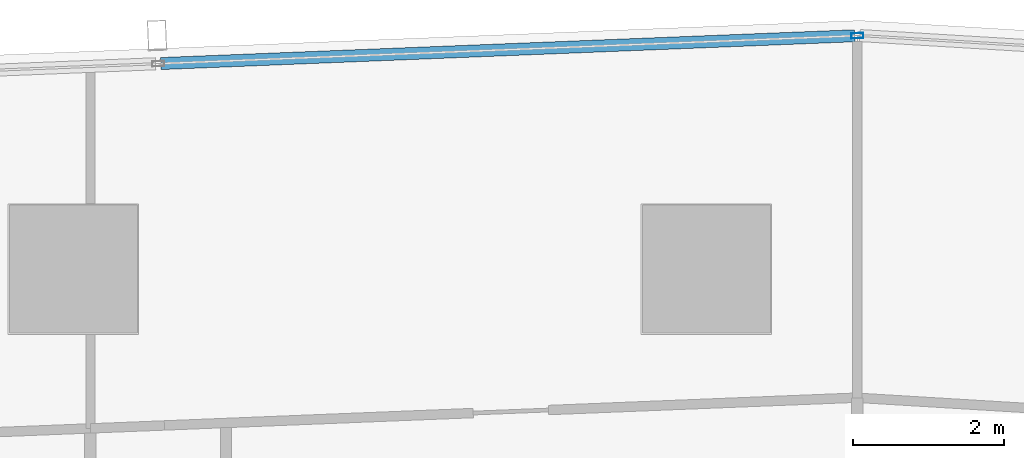
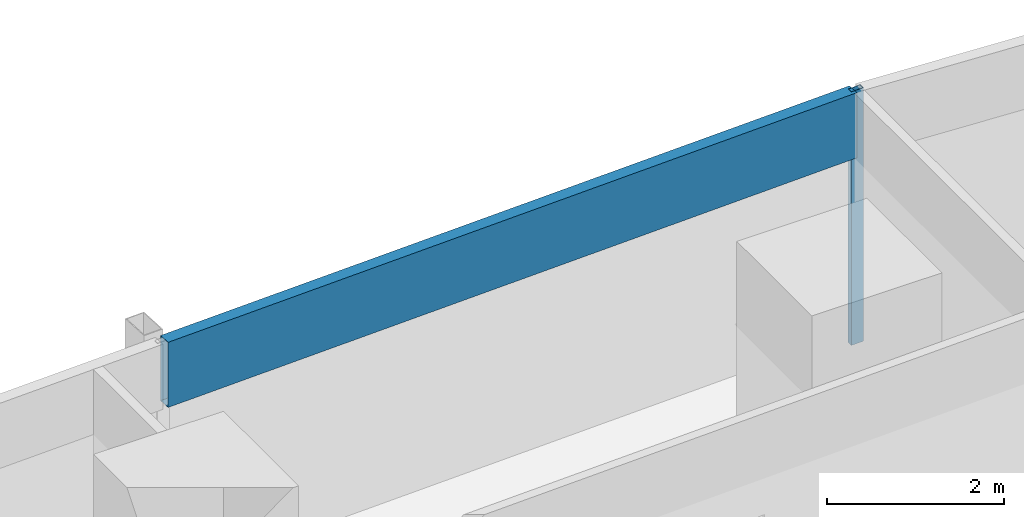
# One storey, part 21 of 40: 2 members, 1 element without a shape of its own.
"""IFC4 building model written with IfcOpenShell, lengths in metres."""

from ifc_helpers import new_model, si_unit, direction, frame, origin, origin_2d, place, context, subcontext, project, spatial, hollow_rectangle, extrude, material, material_profile, profile_set, type_object, element, aggregate, save


model = new_model("IFC4")

# Units and contexts
model_context = context("Model", 3, precision=1e-05, world=origin(), true_north=direction((0.0, 1.0)))
body_context = subcontext(model_context, "Body", "Model", "MODEL_VIEW")
ifc_project = project(units=[si_unit("LENGTHUNIT", "METRE"), si_unit("AREAUNIT", "SQUARE_METRE"), si_unit("VOLUMEUNIT", "CUBIC_METRE"), si_unit("PLANEANGLEUNIT", "RADIAN"), si_unit("MASSUNIT", "GRAM", prefix="KILO")], contexts=[model_context])

# Site, building, storey
site_placement = place(None, origin())
site = spatial("IfcSite", under=ifc_project, at=site_placement, CompositionType="ELEMENT")
building_placement = place(site_placement, origin())
building = spatial("IfcBuilding", under=site, at=building_placement, Name="Rekha Terrace Tower", CompositionType="ELEMENT")
storey_placement = place(building_placement, frame((0.0, 0.0, 117.800048828125)))
storey = spatial("IfcBuildingStorey", under=building, at=storey_placement, Name="L29", CompositionType="ELEMENT", Elevation=117.800048828125)

# Curtain wall, members
ifc_material_1 = material(Name="Aluminium framing", Category="aluminium")
curtain_wall_type = type_object("IfcCurtainWallType", Name="CW3 north unitised glazing", PredefinedType="USERDEFINED", material=ifc_material_1)
curtain_wall_placement = place(storey_placement, origin())
curtain_wall = element("IfcCurtainWall", 1, at=curtain_wall_placement, inside=storey, type_object=curtain_wall_type, Name="CW3 unitised curtain wall", ObjectType="UNITISED CURTAIN WALL", PredefinedType="USERDEFINED")
ifc_material_2 = material(Name="Aluminium mullion section", Category="aluminium")
ifc_material_profile_1 = material_profile(ifc_material_2, hollow_rectangle(XDim=0.070068359375, YDim=0.159912109375, WallThickness=0.00390625, at=origin_2d()), Name="AL RHS 70x160")
ifc_profile_set_1 = profile_set([ifc_material_profile_1], Name="Aluminium mullion section")
member_type_1 = type_object("IfcMemberType", Name="CW3 mullion RHS 70 x 160", PredefinedType="MULLION", material=ifc_profile_set_1)
member_1_placement = place(storey_placement, frame((44.0029296875, 61.8984375, 0.0), z_axis=(0.0, 0.0, 1.0), x_axis=(0.040031987119, -0.999198398721, 0.0)))
member_1 = element("IfcMember", 2, at=member_1_placement, type_object=member_type_1, Name="CW3 mullion 1", PredefinedType="MULLION", context=body_context, shape_type="SweptSolid", body=[
    extrude(hollow_rectangle(XDim=0.070068359375, YDim=0.159912109375, WallThickness=0.00390625, at=origin_2d()), origin(), (0.0, 0.0, 1.0), 3.5),
])
ifc_material_3 = material(Name="Insulated aluminium spandrel box", Category="aluminium")
ifc_material_profile_2 = material_profile(ifc_material_3, hollow_rectangle(XDim=0.159912109375, YDim=0.89990234375, WallThickness=0.0029296875, at=origin_2d()), Name="AL SPANDREL BOX 160x900")
ifc_profile_set_2 = profile_set([ifc_material_profile_2], Name="Insulated aluminium spandrel box")
member_type_2 = type_object("IfcMemberType", Name="CW3 spandrel transom 160 x 900", PredefinedType="USERDEFINED", material=ifc_profile_set_2)
member_2_placement = place(storey_placement, frame((43.968017578125, 61.89697265625, 3.050048828125), z_axis=(-0.999198290018, -0.04003470026, 0.0), x_axis=(0.04003470026, -0.999198290018, 0.0)))
member_2 = element("IfcMember", 3, at=member_2_placement, type_object=member_type_2, Name="CW3 spandrel transom 1", ObjectType="TRANSOM", PredefinedType="USERDEFINED", context=body_context, shape_type="SweptSolid", body=[
    extrude(hollow_rectangle(XDim=0.159912109375, YDim=0.89990234375, WallThickness=0.0029296875, at=origin_2d()), origin(), (0.0, 0.0, 1.0), 9.21435546875),
])
aggregate(curtain_wall, [member_1, member_2])

save(model, "model.ifc")
